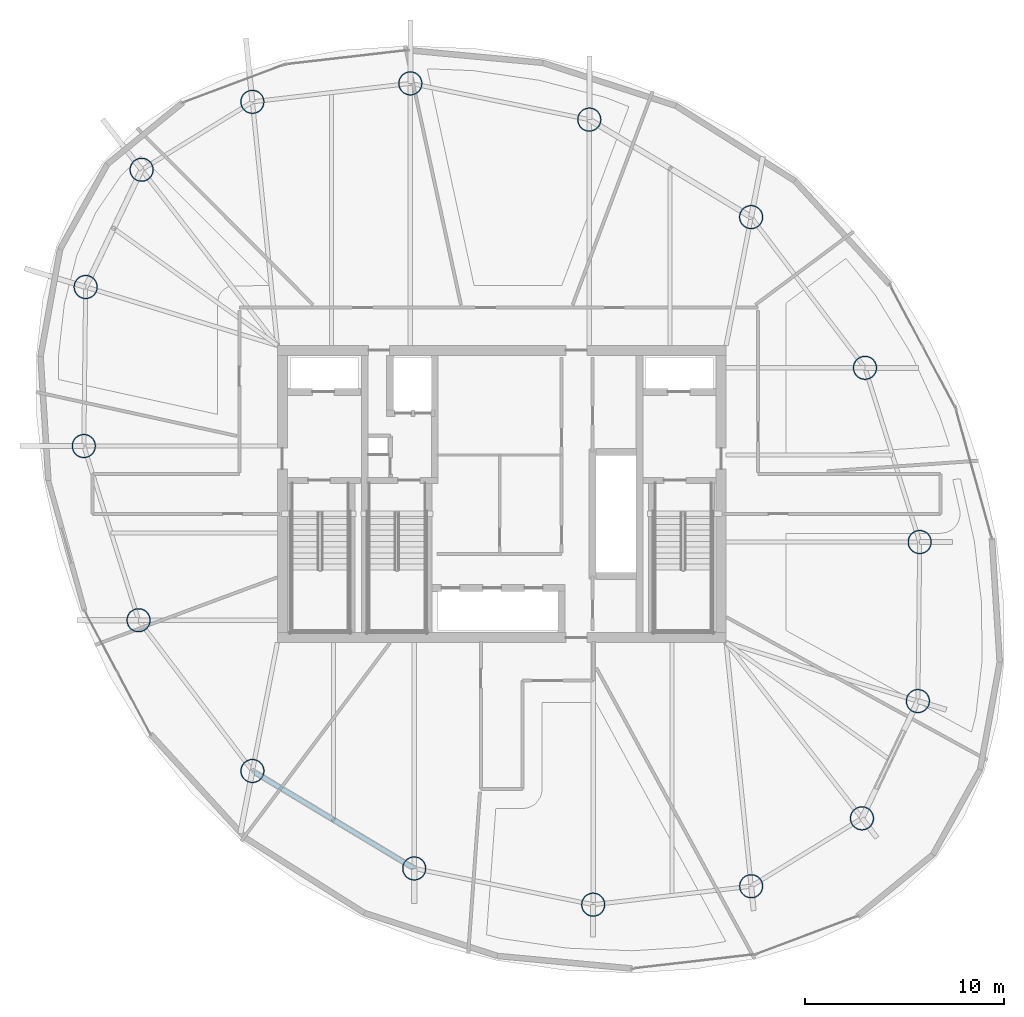
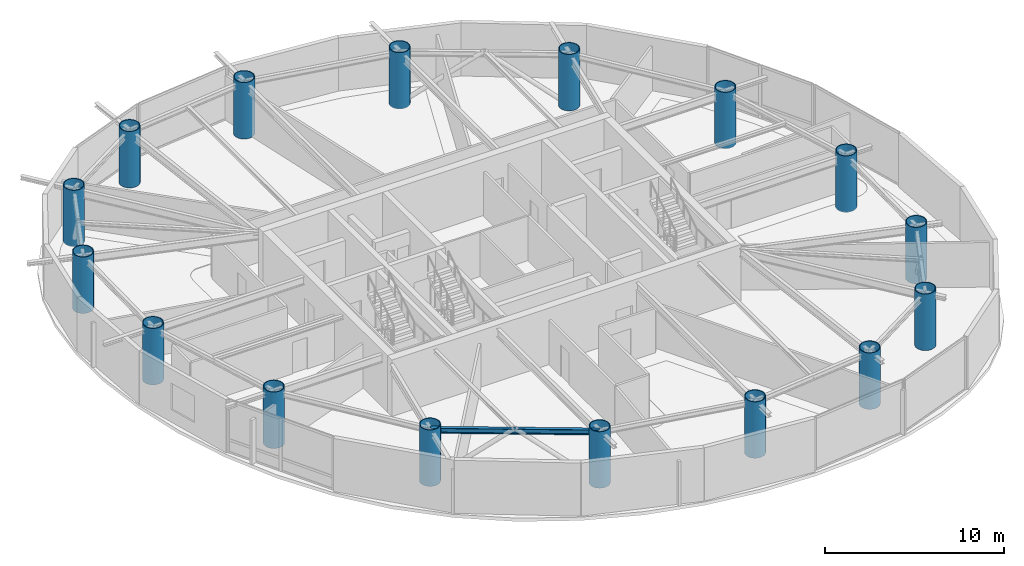
# One storey, part 1 of 22: 16 columns, 1 beam.
"""IFC4 building model written with IfcOpenShell, lengths in metres."""

from ifc_helpers import new_model, si_unit, direction, frame, origin, origin_2d, place, context, subcontext, project, spatial, hollow_circle, i_section, extrude, material, material_profile, profile_set, type_object, element, save


model = new_model("IFC4")

# Units and contexts
model_context = context("Model", 3, precision=1e-05, world=origin(), true_north=direction((0.0, 1.0)))
body_context = subcontext(model_context, "Body", "Model", "MODEL_VIEW")
ifc_project = project(units=[si_unit("LENGTHUNIT", "METRE"), si_unit("AREAUNIT", "SQUARE_METRE"), si_unit("VOLUMEUNIT", "CUBIC_METRE"), si_unit("PLANEANGLEUNIT", "RADIAN"), si_unit("MASSUNIT", "GRAM", prefix="KILO")], contexts=[model_context])

# Site, building, storey
site_placement = place(None, origin())
site = spatial("IfcSite", under=ifc_project, at=site_placement, CompositionType="ELEMENT")
building_placement = place(site_placement, origin())
building = spatial("IfcBuilding", under=site, at=building_placement, Name="Bramvorn Convention Spire", CompositionType="ELEMENT")
storey_placement = place(building_placement, frame((0.0, 0.0, 190.449951171875)))
storey = spatial("IfcBuildingStorey", under=building, at=storey_placement, Name="L48", CompositionType="ELEMENT", Elevation=190.449951171875)

# Columns
ifc_material = material(Name="Steel CSA G40.21 Grade 350 (350W)", Category="steel")
ifc_material_profile_1 = material_profile(ifc_material, hollow_circle(Radius=0.60009765625, WallThickness=0.050048828125, at=origin_2d()))
ifc_profile_set_1 = profile_set([ifc_material_profile_1], Name="Steel CSA G40.21 Grade 350 (350W) - CFT1200X50")
column_type = type_object("IfcColumnType", Name="COL-CFT1200X50", PredefinedType="COLUMN", material=ifc_profile_set_1)
for number, where, z_axis, x_axis, name in (
    (1, (56.058349609375, 9.739990234375, 0.0), (0.0, 0.0, 1.0), (1.0, 0.0, 0.0), "L48 composite CFT mega-column MC01"),
    (2, (58.863037109375, 15.619384765625, 0.0), (0.0, 0.0, 1.0), (1.0, 0.0, 0.0), "L48 composite CFT mega-column MC02"),
    (3, (58.95458984375, 23.593505859375, 0.0), (0.0, 0.0, 1.0), (1.0, 0.0, 0.0), "L48 composite CFT mega-column MC03"),
    (4, (56.21044921875, 32.327392578125, 0.0), (0.0, 0.0, 1.0), (1.0, 0.0, 0.0), "L48 composite CFT mega-column MC04"),
    (5, (50.501953125, 39.885009765625, 0.0), (0.0, 0.0, 1.0), (1.0, 0.0, 0.0), "L48 composite CFT mega-column MC05"),
    (6, (42.38916015625, 44.772216796875, 0.0), (0.0, 0.0, 1.0), (1.0, 0.0, 0.0), "L48 composite CFT mega-column MC06"),
    (7, (33.416259765625, 46.58837890625, 0.0), (0.0, 0.0, 1.0), (1.0, 0.0, 0.0), "L48 composite CFT mega-column MC07"),
    (8, (25.49560546875, 45.663818359375, 0.0), (0.0, 0.0, 1.0), (1.0, 0.0, 0.0), "L48 composite CFT mega-column MC08"),
    (9, (19.941650390625, 42.260009765625, 0.0), (0.0, 0.0, 1.0), (1.0, 0.0, 0.0), "L48 composite CFT mega-column MC09"),
    (10, (17.136962890625, 36.380615234375, 0.0), (0.0, 0.0, 1.0), (1.0, 0.0, 0.0), "L48 composite CFT mega-column MC10"),
    (11, (17.04541015625, 28.406494140625, 0.0), (0.0, 0.0, 1.0), (1.0, 0.0, 0.0), "L48 composite CFT mega-column MC11"),
    (12, (19.78955078125, 19.672607421875, 0.0), (0.0, 0.0, 1.0), (1.0, 0.0, 0.0), "L48 composite CFT mega-column MC12"),
    (13, (25.498046875, 12.114990234375, 0.0), (0.0, 0.0, 1.0), (1.0, 0.0, 0.0), "L48 composite CFT mega-column MC13"),
    (14, (33.61083984375, 7.227783203125, 0.0), (0.0, 0.0, 1.0), (1.0, 0.0, 0.0), "L48 composite CFT mega-column MC14"),
    (15, (42.583740234375, 5.41162109375, 0.0), (0.0, 0.0, 1.0), (1.0, 0.0, 0.0), "L48 composite CFT mega-column MC15"),
    (16, (50.50439453125, 6.336181640625, 0.0), (0.0, 0.0, 1.0), (1.0, 0.0, 0.0), "L48 composite CFT mega-column MC16"),
):
    element("IfcColumn", number, at=place(storey_placement, frame(where, z_axis=z_axis, x_axis=x_axis)), inside=storey, type_object=column_type, Name=name, PredefinedType="COLUMN", context=body_context, shape_type="SweptSolid", body=[
        extrude(hollow_circle(Radius=0.60009765625, WallThickness=0.050048828125, at=origin_2d()), origin(), (0.0, 0.0, 1.0), 3.85009765625),
    ])

# Beam
ifc_material_profile_2 = material_profile(ifc_material, i_section(OverallWidth=0.205078125, OverallDepth=0.35400390625, WebThickness=0.009521484375, FlangeThickness=0.016845703125, FilletRadius=0.014892578125, at=origin_2d()))
ifc_profile_set_2 = profile_set([ifc_material_profile_2], Name="Steel CSA G40.21 Grade 350 (350W) - W360X79")
beam_type = type_object("IfcBeamType", Name="BM-W360X79", PredefinedType="JOIST", material=ifc_profile_set_2)
beam_placement = place(storey_placement, frame((25.498046875, 12.114990234375, 3.443115234375), z_axis=(0.856581795745, -0.516011266543, 0.0), x_axis=(0.516011266543, 0.856581795745, 0.0)))
element("IfcBeam", 17, at=beam_placement, inside=storey, type_object=beam_type, Name="L48 mega-column ring beam 13", PredefinedType="JOIST", context=body_context, shape_type="SweptSolid", body=[
    extrude(i_section(OverallWidth=0.205078125, OverallDepth=0.35400390625, WebThickness=0.009521484375, FlangeThickness=0.016845703125, FilletRadius=0.014892578125, at=origin_2d()), origin(), (0.0, 0.0, 1.0), 9.47119140625),
])

save(model, "model.ifc")
